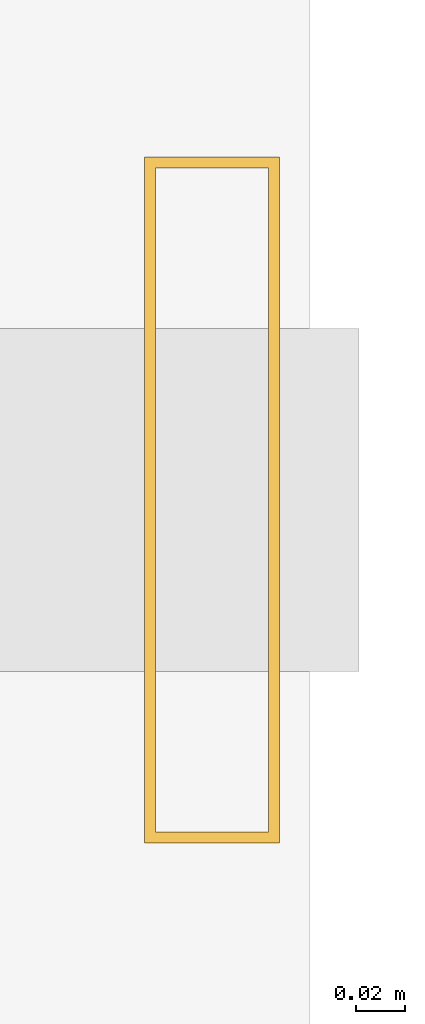
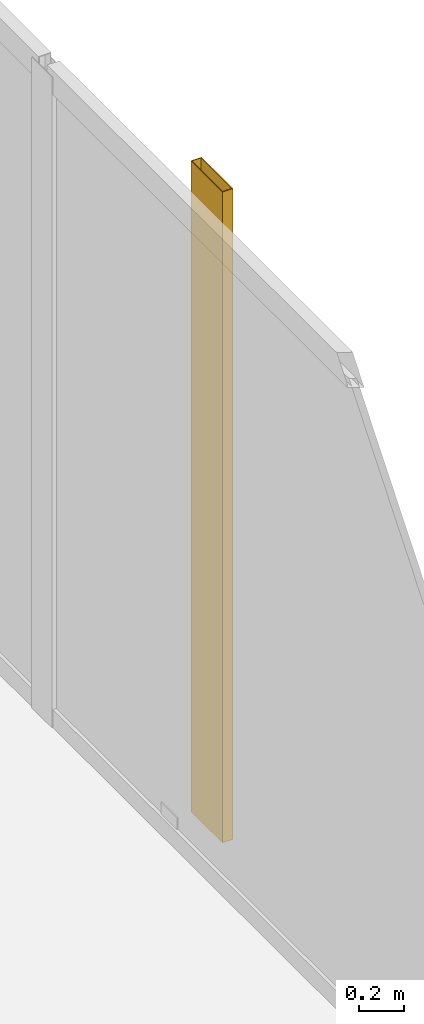
# One storey, part 32 of 32: 1 shading device.
"""IFC4 building model written with IfcOpenShell, lengths in metres."""

from ifc_helpers import new_model, si_unit, direction, frame, origin, origin_2d, place, context, subcontext, project, spatial, hollow_rectangle, extrude, material, material_profile, profile_set, type_object, element, save


model = new_model("IFC4")

# Units and contexts
model_context = context("Model", 3, precision=1e-05, world=origin(), true_north=direction((0.0, 1.0)))
body_context = subcontext(model_context, "Body", "Model", "MODEL_VIEW")
ifc_project = project(units=[si_unit("LENGTHUNIT", "METRE"), si_unit("AREAUNIT", "SQUARE_METRE"), si_unit("VOLUMEUNIT", "CUBIC_METRE"), si_unit("PLANEANGLEUNIT", "RADIAN"), si_unit("MASSUNIT", "GRAM", prefix="KILO")], contexts=[model_context])

# Site, building, storey
site_placement = place(None, origin())
site = spatial("IfcSite", under=ifc_project, at=site_placement, CompositionType="ELEMENT")
building_placement = place(site_placement, origin())
building = spatial("IfcBuilding", under=site, at=building_placement, Name="Kolvaren Waterfront Exchange", CompositionType="ELEMENT")
storey_placement = place(building_placement, frame((0.0, 0.0, 348.10009765625)))
storey = spatial("IfcBuildingStorey", under=building, at=storey_placement, Name="L89", CompositionType="ELEMENT", Elevation=348.10009765625)

# Shading device
ifc_material = material(Name="Anodised bronze aluminium 6063-T6", Category="aluminium")
ifc_material_profile = material_profile(ifc_material, hollow_rectangle(XDim=0.054931640625, YDim=0.280029296875, WallThickness=0.00439453125, at=origin_2d()), Name="BRZ-FIN-280x55x4.5")
ifc_profile_set = profile_set([ifc_material_profile], Name="Anodised bronze aluminium 6063-T6")
shading_device_type = type_object("IfcShadingDeviceType", Name="ARC-FIN-280", PredefinedType="USERDEFINED", material=ifc_profile_set)
shading_device_placement = place(storey_placement, frame((21.360107421875, 38.0, 0.0), z_axis=(0.0, 0.0, 1.0), x_axis=(1.0, 0.0, 0.0)))
element("IfcShadingDevice", 1, at=shading_device_placement, inside=storey, type_object=shading_device_type, Name="L89 anodised bronze solar shading fin FIN-L89-E3", ObjectType="SOLAR FIN", PredefinedType="USERDEFINED", context=body_context, shape_type="SweptSolid", body=[
    extrude(hollow_rectangle(XDim=0.054931640625, YDim=0.280029296875, WallThickness=0.00439453125, at=origin_2d()), origin(), (0.0, 0.0, 1.0), 3.52001953125),
])

save(model, "model.ifc")
